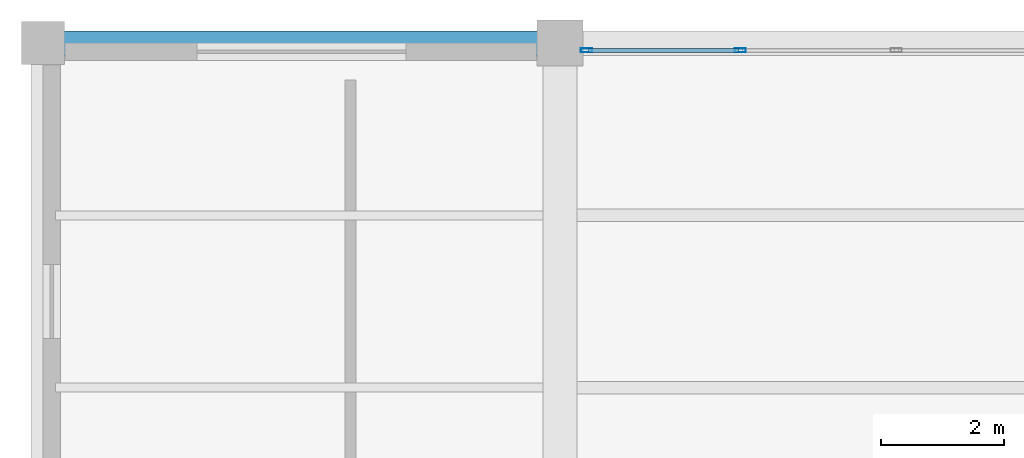
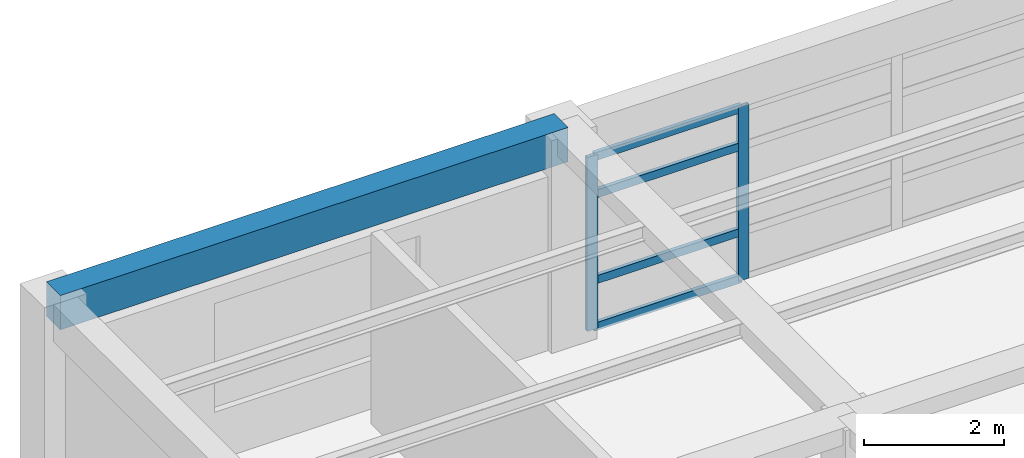
# One storey, part 16 of 26: 6 members, 1 beam, 1 element without a shape of its own.
"""IFC4 building model written with IfcOpenShell, lengths in metres."""

import ifcopenshell
import ifcopenshell.guid

model = None  # the IFC model being written
_history = None  # IfcOwnerHistory: only IFC2X3 demands one
_inside = {}  # id of a spatial element -> (the spatial element, [elements in it])
_under = {}  # id of a project, library or spatial element -> (it, [spatial elements below it])
_declared = {}  # id of a project -> (the project, [libraries it declares])
_typed = {}  # id of a type object -> (the type object, [elements of that type])
_made_of = {}  # id of a material, layer set ... -> (it, [elements and type objects made of it])


def new_model(schema):
    """Start an empty IFC model of exactly this schema.

    Asked for "IFC4X3", IfcOpenShell would pick the latest addendum, in which some entities
    have other attributes; the version numbers below select the first issue.
    IFC2X3 requires an IfcOwnerHistory on every rooted entity: one is made here for all.
    """
    global model, _history
    if schema == "IFC4X3":
        model = ifcopenshell.file(schema_version=(4, 3, 0, 0))
    else:
        model = ifcopenshell.file(schema=schema)
    _inside.clear()
    _under.clear()
    _declared.clear()
    _typed.clear()
    _made_of.clear()
    _history = None
    if model.schema == "IFC2X3":
        org = make("IfcOrganization", Name="unknown")
        user = make(
            "IfcPersonAndOrganization",
            ThePerson=make("IfcPerson", FamilyName="unknown"),
            TheOrganization=org,
        )
        app = make(
            "IfcApplication",
            ApplicationDeveloper=org,
            Version="unknown",
            ApplicationFullName="unknown",
            ApplicationIdentifier="unknown",
        )
        _history = make(
            "IfcOwnerHistory",
            OwningUser=user,
            OwningApplication=app,
            ChangeAction="ADDED",
            CreationDate=0,
        )
    return model


def make(cls, **values):
    """One entity of the class cls with the attributes given. An attribute that is None is left unset."""
    return model.create_entity(
        cls, **{name: value for name, value in values.items() if value is not None}
    )


def rooted(cls, **values):
    """An entity with a GlobalId (a new one), such as an element, a storey or a relation."""
    return make(cls, GlobalId=ifcopenshell.guid.new(), OwnerHistory=_history, **values)


def si_unit(unit_type, name, prefix=None):
    """IfcSIUnit, for example si_unit("LENGTHUNIT", "METRE", prefix="MILLI")."""
    return make("IfcSIUnit", UnitType=unit_type, Prefix=prefix, Name=name)


def assignment(units):
    """IfcUnitAssignment: the units of a project."""
    return None if units is None else make("IfcUnitAssignment", Units=units)


def point(xyz):
    """IfcCartesianPoint."""
    return None if xyz is None else make("IfcCartesianPoint", Coordinates=xyz)


def direction(xyz):
    """IfcDirection."""
    return None if xyz is None else make("IfcDirection", DirectionRatios=xyz)


def frame(location, z_axis=None, x_axis=None):
    """IfcAxis2Placement3D, a coordinate frame: its origin and axes. An axis left out is left unset."""
    return make(
        "IfcAxis2Placement3D",
        Location=point(location),
        Axis=direction(z_axis),
        RefDirection=direction(x_axis),
    )


def frame_2d(location, x_axis=None):
    """IfcAxis2Placement2D, a coordinate frame in the plane: its origin and x axis."""
    return make(
        "IfcAxis2Placement2D", Location=point(location), RefDirection=direction(x_axis)
    )


def origin():
    """The frame at (0, 0, 0) with its axes left unset."""
    return frame((0.0, 0.0, 0.0))


def origin_2d():
    """The frame at (0, 0) in the plane with its x axis left unset."""
    return frame_2d((0.0, 0.0))


def place(relative_to, where):
    """IfcLocalPlacement: puts the frame where relative to a parent placement (None: the world)."""
    return make(
        "IfcLocalPlacement", PlacementRelTo=relative_to, RelativePlacement=where
    )


def context(
    kind, dimensions, precision=None, world=None, true_north=None, identifier=None
):
    """IfcGeometricRepresentationContext, for example the 3D "Model" context."""
    return make(
        "IfcGeometricRepresentationContext",
        ContextIdentifier=identifier,
        ContextType=kind,
        CoordinateSpaceDimension=dimensions,
        Precision=precision,
        WorldCoordinateSystem=world,
        TrueNorth=true_north,
    )


def subcontext(parent, identifier, kind, view, scale=None):
    """IfcGeometricRepresentationSubContext, for example "Body" below "Model"."""
    return make(
        "IfcGeometricRepresentationSubContext",
        ContextIdentifier=identifier,
        ContextType=kind,
        ParentContext=parent,
        TargetScale=scale,
        TargetView=view,
    )


def project(units=None, contexts=None):
    """IfcProject with its units and contexts."""
    return rooted(
        "IfcProject",
        Name="project",
        RepresentationContexts=contexts,
        UnitsInContext=assignment(units),
    )


def spatial(cls, under=None, at=None, **own):
    """A site, building, storey or space (cls), placed at a placement, below another one or the project."""
    s = rooted(cls, ObjectPlacement=at, **own)
    if under is not None:
        _under.setdefault(under.id(), (under, []))[1].append(s)
    return s


def profile(cls, at=None, kind="AREA", **sizes):
    """A parametric profile (cls). Its sizes go by their IFC names, for example OverallWidth=200.0."""
    return make(cls, ProfileType=kind, Position=at, **sizes)


def rectangle(**sizes):
    """IfcRectangleProfileDef."""
    return profile("IfcRectangleProfileDef", **sizes)


def hollow_rectangle(**sizes):
    """IfcRectangleHollowProfileDef."""
    return profile("IfcRectangleHollowProfileDef", **sizes)


def extrude(swept, where, along, depth):
    """IfcExtrudedAreaSolid: the profile swept, set in the frame where, extruded along a direction by depth."""
    return make(
        "IfcExtrudedAreaSolid",
        SweptArea=swept,
        Position=where,
        ExtrudedDirection=direction(along),
        Depth=depth,
    )


def shape(context_of_items, identifier, shape_type, items):
    """IfcShapeRepresentation: the items that make up one representation, for example the "Body"."""
    return make(
        "IfcShapeRepresentation",
        ContextOfItems=context_of_items,
        RepresentationIdentifier=identifier,
        RepresentationType=shape_type,
        Items=items,
    )


def material(Name=None, Category=None):
    """IfcMaterial."""
    return make("IfcMaterial", Name=Name, Category=Category)


def material_profile(
    of_material, cross_section, Name=None, Category=None, Priority=None
):
    """IfcMaterialProfile: a cross section and its material."""
    return make(
        "IfcMaterialProfile",
        Name=Name,
        Material=of_material,
        Profile=cross_section,
        Priority=Priority,
        Category=Category,
    )


def profile_set(profiles, Name=None, composite=None):
    """IfcMaterialProfileSet."""
    return make(
        "IfcMaterialProfileSet",
        Name=Name,
        MaterialProfiles=profiles,
        CompositeProfile=composite,
    )


def made_of(thing, what):
    """Note that an element or type object is made of a material, layer set ...; save() writes the relation."""
    if what is not None:
        _made_of.setdefault(what.id(), (what, []))[1].append(thing)
    return thing


def type_object(cls, material=None, **own):
    """A type object (cls), such as IfcWallType, which elements share."""
    return made_of(rooted(cls, **own), material)


def element(
    cls,
    number,
    at=None,
    inside=None,
    cuts=None,
    type_object=None,
    material=None,
    context=None,
    identifier="Body",
    shape_type=None,
    held_by="IfcProductDefinitionShape",
    body=None,
    shapes=None,
    **own,
):
    """One element of the class cls, such as IfcWall. Its Tag is "e" and its number.

    at: its placement. inside: the storey or other place that contains it. cuts: it is an
    opening in that element (IfcRelVoidsElement). A single representation is given by context,
    identifier, shape_type and body (its items); several are given by shapes. held_by: the class
    of the entity that holds the representations. save() writes the other relations.
    """
    e = rooted(cls, Tag="e%d" % number, ObjectPlacement=at, **own)
    if body is not None:
        shapes = [shape(context, identifier, shape_type, body)]
    if shapes is not None:
        e.Representation = make(held_by, Representations=shapes)
    if inside is not None:
        _inside.setdefault(inside.id(), (inside, []))[1].append(e)
    if cuts is not None:
        rooted(
            "IfcRelVoidsElement", RelatingBuildingElement=cuts, RelatedOpeningElement=e
        )
    if type_object is not None:
        _typed.setdefault(type_object.id(), (type_object, []))[1].append(e)
    return made_of(e, material)


def aggregate(whole, parts):
    """IfcRelAggregates: a whole, such as a stair, and the parts it consists of."""
    return rooted("IfcRelAggregates", RelatingObject=whole, RelatedObjects=parts)


def save(model, path):
    """Write the relations noted so far, then the file.

    IfcRelAggregates (storeys below a building ...), IfcRelContainedInSpatialStructure (elements
    in a storey), IfcRelDefinesByType, IfcRelAssociatesMaterial and IfcRelDeclares: one each for
    every whole, place, type object, material and project.
    """
    for whole, parts in _under.values():
        aggregate(whole, parts)
    for where, things in _inside.values():
        rooted(
            "IfcRelContainedInSpatialStructure",
            RelatedElements=things,
            RelatingStructure=where,
        )
    for kind, things in _typed.values():
        rooted("IfcRelDefinesByType", RelatedObjects=things, RelatingType=kind)
    for what, things in _made_of.values():
        rooted("IfcRelAssociatesMaterial", RelatedObjects=things, RelatingMaterial=what)
    for by, libraries in _declared.values():
        rooted("IfcRelDeclares", RelatingContext=by, RelatedDefinitions=libraries)
    model.write(path)


model = new_model("IFC4")

# Units and contexts
model_context = context("Model", 3, precision=1e-05, world=origin(), true_north=direction((0.0, 1.0)))
body_context = subcontext(model_context, "Body", "Model", "MODEL_VIEW")
ifc_project = project(units=[si_unit("LENGTHUNIT", "METRE"), si_unit("AREAUNIT", "SQUARE_METRE"), si_unit("VOLUMEUNIT", "CUBIC_METRE"), si_unit("PLANEANGLEUNIT", "RADIAN"), si_unit("MASSUNIT", "GRAM", prefix="KILO")], contexts=[model_context])

# Site, building, storey
site_placement = place(None, origin())
site = spatial("IfcSite", under=ifc_project, at=site_placement, CompositionType="ELEMENT")
building_placement = place(site_placement, origin())
building = spatial("IfcBuilding", under=site, at=building_placement, Name="Almacenes y Pasaje Nevantli", CompositionType="ELEMENT")
storey_placement = place(building_placement, frame((0.0, 0.0, 30.699951171875)))
storey = spatial("IfcBuildingStorey", under=building, at=storey_placement, Name="L07", CompositionType="ELEMENT", Elevation=30.699951171875)

# Beam
ifc_material_1 = material(Name="Concrete C35/45", Category="concrete")
ifc_material_profile_1 = material_profile(ifc_material_1, rectangle(XDim=0.39990234375, YDim=0.60009765625, at=origin_2d()), Name="RC-BM-400x600")
ifc_profile_set_1 = profile_set([ifc_material_profile_1], Name="Concrete C35/45")
beam_type = type_object("IfcBeamType", Name="BM-RC-400x600", PredefinedType="SPANDREL", material=ifc_profile_set_1)
beam_placement = place(storey_placement, frame((109.199951171875, 100.800048828125, 3.420166015625), z_axis=(1.0, 0.0, 0.0), x_axis=(0.0, 1.0, 0.0)))
element("IfcBeam", 1, at=beam_placement, inside=storey, type_object=beam_type, Name="L07 East-West Reinforced Concrete Beam #3653", PredefinedType="SPANDREL", context=body_context, shape_type="SweptSolid", body=[
    extrude(rectangle(XDim=0.39990234375, YDim=0.60009765625, at=origin_2d()), origin(), (0.0, 0.0, 1.0), 8.400146484375),
])

# Curtain wall, members
ifc_material_2 = material(Name="Thermally Broken Aluminium and Low-E Glass", Category="aluminium")
curtain_wall_type = type_object("IfcCurtainWallType", Name="CW-UNIT-TOWER", PredefinedType="USERDEFINED", material=ifc_material_2)
curtain_wall_placement = place(storey_placement, origin())
curtain_wall = element("IfcCurtainWall", 2, at=curtain_wall_placement, inside=storey, type_object=curtain_wall_type, Name="L07 Tower North Boulevard Unitized Curtain Wall Bay 15", ObjectType="UNITIZED CURTAIN WALL", PredefinedType="USERDEFINED")
ifc_material_3 = material(Name="Thermally Broken Anodized Aluminium", Category="aluminium")
ifc_material_profile_2 = material_profile(ifc_material_3, hollow_rectangle(XDim=0.06494140625, YDim=0.179931640625, WallThickness=0.00390625, at=origin_2d()), Name="ALU-MUL-65x180")
ifc_profile_set_2 = profile_set([ifc_material_profile_2], Name="Thermally Broken Anodized Aluminium")
member_type_1 = type_object("IfcMemberType", Name="CW-MUL-200", PredefinedType="MULLION", material=ifc_profile_set_2)
member_1_placement = place(storey_placement, frame((118.032470703125, 100.679931640625, 0.0), z_axis=(0.0, 0.0, 1.0), x_axis=(0.0, 1.0, 0.0)))
member_1 = element("IfcMember", 3, at=member_1_placement, type_object=member_type_1, Name="CW-L07-112 mullion 1", PredefinedType="MULLION", context=body_context, shape_type="SweptSolid", body=[
    extrude(hollow_rectangle(XDim=0.06494140625, YDim=0.179931640625, WallThickness=0.00390625, at=origin_2d()), origin(), (0.0, 0.0, 1.0), 3.0400390625),
])
member_2_placement = place(storey_placement, frame((120.533447265625, 100.679931640625, 0.0), z_axis=(0.0, 0.0, 1.0), x_axis=(0.0, 1.0, 0.0)))
member_2 = element("IfcMember", 4, at=member_2_placement, type_object=member_type_1, Name="CW-L07-112 mullion 2", PredefinedType="MULLION", context=body_context, shape_type="SweptSolid", body=[
    extrude(hollow_rectangle(XDim=0.06494140625, YDim=0.179931640625, WallThickness=0.00390625, at=origin_2d()), origin(), (0.0, 0.0, 1.0), 3.0400390625),
])
ifc_material_4 = material(Name="Thermally Broken Anodized Aluminium", Category="aluminium")
ifc_material_profile_3 = material_profile(ifc_material_4, hollow_rectangle(XDim=0.06494140625, YDim=0.139892578125, WallThickness=0.00390625, at=origin_2d()), Name="ALU-TRN-65x140")
ifc_profile_set_3 = profile_set([ifc_material_profile_3], Name="Thermally Broken Anodized Aluminium")
member_type_2 = type_object("IfcMemberType", Name="CW-TRN-150", PredefinedType="USERDEFINED", material=ifc_profile_set_3)
member_3_placement = place(storey_placement, frame((118.06494140625, 100.679931640625, 0.032470703125), z_axis=(1.0, 0.0, 0.0), x_axis=(0.0, 1.0, 0.0)))
member_3 = element("IfcMember", 5, at=member_3_placement, type_object=member_type_2, Name="CW-L07-112 transom 1.1", ObjectType="TRANSOM", PredefinedType="USERDEFINED", context=body_context, shape_type="SweptSolid", body=[
    extrude(hollow_rectangle(XDim=0.06494140625, YDim=0.139892578125, WallThickness=0.00390625, at=origin_2d()), origin(), (0.0, 0.0, 1.0), 2.435791015625),
])
member_4_placement = place(storey_placement, frame((118.06494140625, 100.679931640625, 0.85009765625), z_axis=(1.0, 0.0, 0.0), x_axis=(0.0, 1.0, 0.0)))
member_4 = element("IfcMember", 6, at=member_4_placement, type_object=member_type_2, Name="CW-L07-112 transom 1.2", ObjectType="TRANSOM", PredefinedType="USERDEFINED", context=body_context, shape_type="SweptSolid", body=[
    extrude(hollow_rectangle(XDim=0.06494140625, YDim=0.139892578125, WallThickness=0.00390625, at=origin_2d()), origin(), (0.0, 0.0, 1.0), 2.435791015625),
])
member_5_placement = place(storey_placement, frame((118.06494140625, 100.679931640625, 2.35009765625), z_axis=(1.0, 0.0, 0.0), x_axis=(0.0, 1.0, 0.0)))
member_5 = element("IfcMember", 7, at=member_5_placement, type_object=member_type_2, Name="CW-L07-112 transom 1.3", ObjectType="TRANSOM", PredefinedType="USERDEFINED", context=body_context, shape_type="SweptSolid", body=[
    extrude(hollow_rectangle(XDim=0.06494140625, YDim=0.139892578125, WallThickness=0.00390625, at=origin_2d()), origin(), (0.0, 0.0, 1.0), 2.435791015625),
])
member_6_placement = place(storey_placement, frame((118.06494140625, 100.679931640625, 3.007568359375), z_axis=(1.0, 0.0, 0.0), x_axis=(0.0, 1.0, 0.0)))
member_6 = element("IfcMember", 8, at=member_6_placement, type_object=member_type_2, Name="CW-L07-112 transom 1.4", ObjectType="TRANSOM", PredefinedType="USERDEFINED", context=body_context, shape_type="SweptSolid", body=[
    extrude(hollow_rectangle(XDim=0.06494140625, YDim=0.139892578125, WallThickness=0.00390625, at=origin_2d()), origin(), (0.0, 0.0, 1.0), 2.435791015625),
])
aggregate(curtain_wall, [member_1, member_2, member_3, member_4, member_5, member_6])

save(model, "model.ifc")
